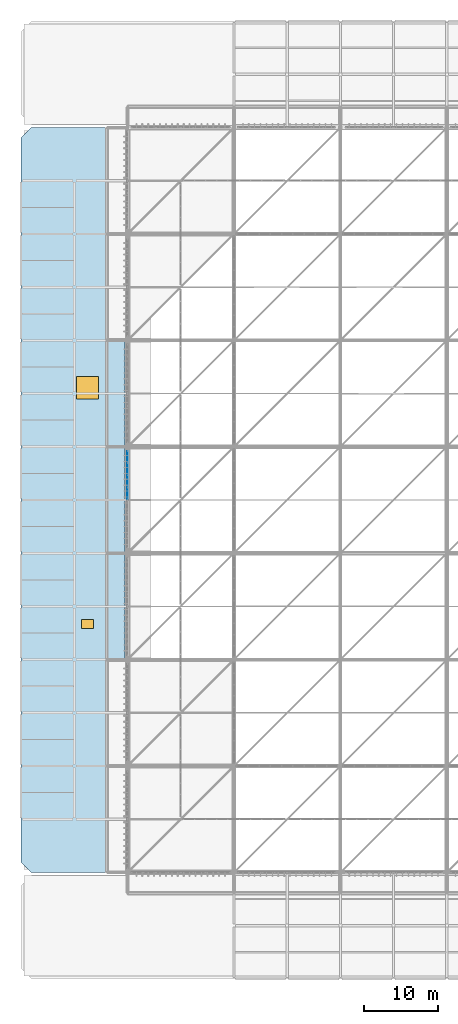
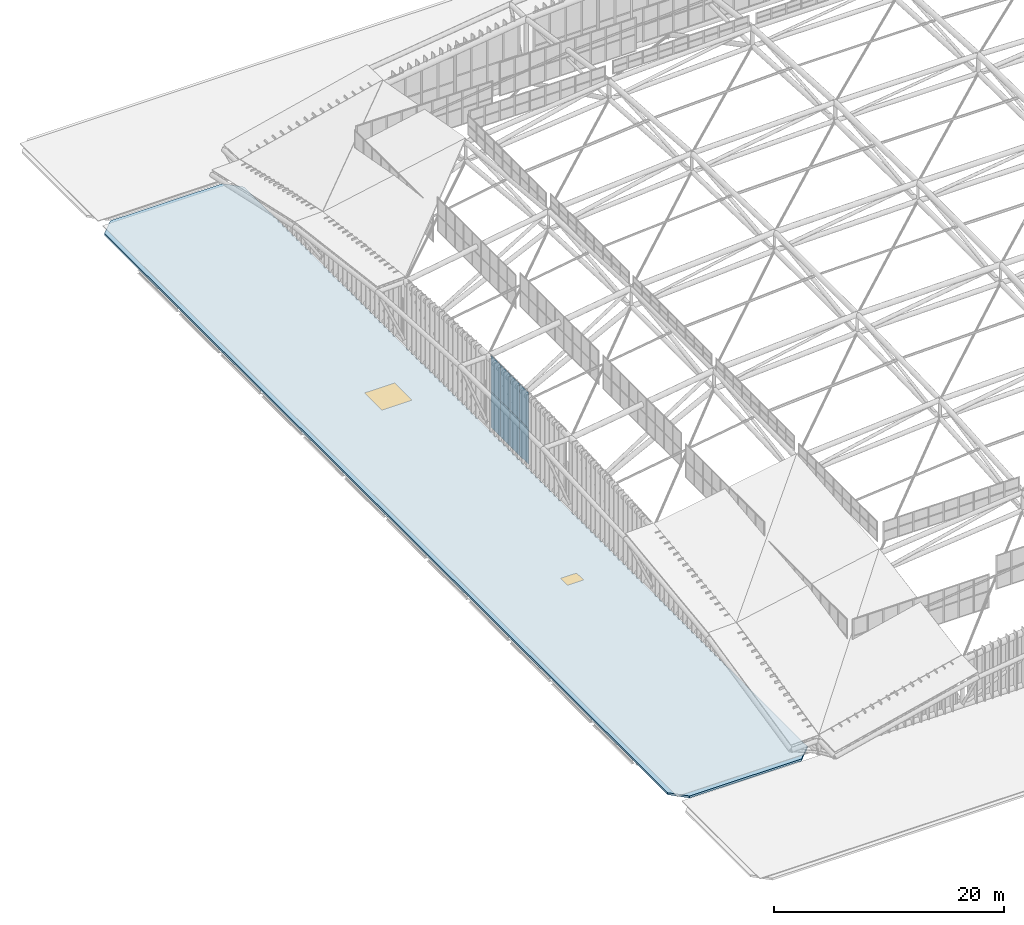
# One storey, part 371 of 397: 8 plates, 2 windows, 1 slab, 2 openings, 1 element without a shape of its own.
"""IFC4 building model written with IfcOpenShell, lengths in metres."""

from ifc_helpers import new_model, si_unit, direction, frame, origin, origin_2d, place, context, subcontext, project, spatial, polyline, rectangle, outline, extrude, material, layer, layer_set, type_object, element, fill, aggregate, save


model = new_model("IFC4")

# Units and contexts
model_context = context("Model", 3, precision=1e-05, world=origin(), true_north=direction((0.0, 1.0)))
body_context = subcontext(model_context, "Body", "Model", "MODEL_VIEW")
ifc_project = project(units=[si_unit("LENGTHUNIT", "METRE"), si_unit("AREAUNIT", "SQUARE_METRE"), si_unit("VOLUMEUNIT", "CUBIC_METRE"), si_unit("PLANEANGLEUNIT", "RADIAN"), si_unit("MASSUNIT", "GRAM", prefix="KILO")], contexts=[model_context])

# Site, building, storey
site_placement = place(None, origin())
site = spatial("IfcSite", under=ifc_project, at=site_placement, CompositionType="ELEMENT")
building_placement = place(site_placement, origin())
building = spatial("IfcBuilding", under=site, at=building_placement, Name="Qandorah Velis Arena", CompositionType="ELEMENT")
storey_placement = place(building_placement, frame((0.0, 0.0, 27.5)))
storey = spatial("IfcBuildingStorey", under=building, at=storey_placement, Name="RF", CompositionType="ELEMENT", Elevation=27.5)

# Curtain wall, plates
ifc_material_1 = material(Name="Solar-control low-E double glazing", Category="glass")
curtain_wall_type = type_object("IfcCurtainWallType", Name="ARC-CW-SYS05", PredefinedType="USERDEFINED", material=ifc_material_1)
curtain_wall_placement = place(storey_placement, origin())
curtain_wall = element("IfcCurtainWall", 1, at=curtain_wall_placement, inside=storey, type_object=curtain_wall_type, Name="Unitised curtain wall CROWN-1-04S2", ObjectType="UNITISED CURTAIN WALL", PredefinedType="USERDEFINED")
ifc_layer_1 = layer(ifc_material_1, 0.035888671875)
ifc_layer_set_1 = layer_set([ifc_layer_1], Name="Solar-control low-E double glazing")
plate_type = type_object("IfcPlateType", Name="ARC-CWP-GLZ36", PredefinedType="CURTAIN_PANEL", material=ifc_layer_set_1)
plate_1_placement = place(storey_placement, frame((14.39990234375, 65.68115234375, 0.0498046875), z_axis=(0.0, 0.0, 1.0), x_axis=(0.0, 1.0, 0.0)))
plate_1 = element("IfcPlate", 2, at=plate_1_placement, type_object=plate_type, Name="CW05 panel 1.1", PredefinedType="CURTAIN_PANEL", context=body_context, shape_type="SweptSolid", body=[
    extrude(rectangle(XDim=1.58251953125, YDim=0.035888671875, at=origin_2d()), origin(), (0.0, 0.0, 1.0), 3.797607421875),
])
plate_2_placement = place(storey_placement, frame((14.39990234375, 65.68115234375, 3.8876953125), z_axis=(0.0, 0.0, 1.0), x_axis=(0.0, 1.0, 0.0)))
plate_2 = element("IfcPlate", 3, at=plate_2_placement, type_object=plate_type, Name="CW05 panel 1.2", PredefinedType="CURTAIN_PANEL", context=body_context, shape_type="SweptSolid", body=[
    extrude(rectangle(XDim=1.58251953125, YDim=0.035888671875, at=origin_2d()), origin(), (0.0, 0.0, 1.0), 3.797607421875),
])
plate_3_placement = place(storey_placement, frame((14.39990234375, 67.31884765625, 0.0498046875), z_axis=(0.0, 0.0, 1.0), x_axis=(0.0, 1.0, 0.0)))
plate_3 = element("IfcPlate", 4, at=plate_3_placement, type_object=plate_type, Name="CW05 panel 2.1", PredefinedType="CURTAIN_PANEL", context=body_context, shape_type="SweptSolid", body=[
    extrude(rectangle(XDim=1.612548828125, YDim=0.035888671875, at=origin_2d()), origin(), (0.0, 0.0, 1.0), 3.797607421875),
])
plate_4_placement = place(storey_placement, frame((14.39990234375, 67.31884765625, 3.8876953125), z_axis=(0.0, 0.0, 1.0), x_axis=(0.0, 1.0, 0.0)))
plate_4 = element("IfcPlate", 5, at=plate_4_placement, type_object=plate_type, Name="CW05 panel 2.2", PredefinedType="CURTAIN_PANEL", context=body_context, shape_type="SweptSolid", body=[
    extrude(rectangle(XDim=1.612548828125, YDim=0.035888671875, at=origin_2d()), origin(), (0.0, 0.0, 1.0), 3.797607421875),
])
plate_5_placement = place(storey_placement, frame((14.39990234375, 68.97119140625, 0.0498046875), z_axis=(0.0, 0.0, 1.0), x_axis=(0.0, 1.0, 0.0)))
plate_5 = element("IfcPlate", 6, at=plate_5_placement, type_object=plate_type, Name="CW05 panel 3.1", PredefinedType="CURTAIN_PANEL", context=body_context, shape_type="SweptSolid", body=[
    extrude(rectangle(XDim=1.612548828125, YDim=0.035888671875, at=origin_2d()), origin(), (0.0, 0.0, 1.0), 3.797607421875),
])
plate_6_placement = place(storey_placement, frame((14.39990234375, 68.97119140625, 3.8876953125), z_axis=(0.0, 0.0, 1.0), x_axis=(0.0, 1.0, 0.0)))
plate_6 = element("IfcPlate", 7, at=plate_6_placement, type_object=plate_type, Name="CW05 panel 3.2", PredefinedType="CURTAIN_PANEL", context=body_context, shape_type="SweptSolid", body=[
    extrude(rectangle(XDim=1.612548828125, YDim=0.035888671875, at=origin_2d()), origin(), (0.0, 0.0, 1.0), 3.797607421875),
])
plate_7_placement = place(storey_placement, frame((14.39990234375, 70.608642578125, 0.0498046875), z_axis=(0.0, 0.0, 1.0), x_axis=(0.0, 1.0, 0.0)))
plate_7 = element("IfcPlate", 8, at=plate_7_placement, type_object=plate_type, Name="CW05 panel 4.1", PredefinedType="CURTAIN_PANEL", context=body_context, shape_type="SweptSolid", body=[
    extrude(rectangle(XDim=1.58251953125, YDim=0.035888671875, at=origin_2d()), origin(), (0.0, 0.0, 1.0), 3.797607421875),
])
plate_8_placement = place(storey_placement, frame((14.39990234375, 70.608642578125, 3.8876953125), z_axis=(0.0, 0.0, 1.0), x_axis=(0.0, 1.0, 0.0)))
plate_8 = element("IfcPlate", 9, at=plate_8_placement, type_object=plate_type, Name="CW05 panel 4.2", PredefinedType="CURTAIN_PANEL", context=body_context, shape_type="SweptSolid", body=[
    extrude(rectangle(XDim=1.58251953125, YDim=0.035888671875, at=origin_2d()), origin(), (0.0, 0.0, 1.0), 3.797607421875),
])
aggregate(curtain_wall, [plate_1, plate_2, plate_3, plate_4, plate_5, plate_6, plate_7, plate_8])

# Slab, openings, windows
ifc_material_2 = material(Name="Concrete C40/50", Category="concrete")
ifc_layer_2 = layer(ifc_material_2, 0.219970703125)
ifc_layer_set_2 = layer_set([ifc_layer_2], Name="Concrete C40/50")
slab_type = type_object("IfcSlabType", Name="STR-SLB-RF220", PredefinedType="ROOF", material=ifc_layer_set_2)
slab_placement = place(storey_placement, frame((0.0, 0.0, -0.219970703125)))
slab = element("IfcSlab", 10, at=slab_placement, inside=storey, type_object=slab_type, Name="Roof slab SLB-ROOF-SKY-W", PredefinedType="ROOF", context=body_context, shape_type="SweptSolid", body=[
    extrude(outline(polyline([(1.39990234375, 14.39990234375), (12.64990234375, 14.39990234375), (14.050048828125, 15.800048828125), (14.050048828125, 113.800048828125), (12.64990234375, 115.199951171875), (1.39990234375, 115.199951171875), (0.0, 113.800048828125), (0.0, 15.800048828125), (1.39990234375, 14.39990234375)])), origin(), (0.0, 0.0, 1.0), 0.219970703125),
])
opening_1_placement = place(slab_placement, frame((9.0, 48.0, -0.010009765625)))
opening_1 = element("IfcOpeningElement", 11, at=opening_1_placement, cuts=slab, Name="Opening SK8", PredefinedType="OPENING", context=body_context, shape_type="SweptSolid", body=[
    extrude(rectangle(XDim=1.60009765625, YDim=1.199951171875, at=origin_2d()), origin(), (0.0, 0.0, 1.0), 0.239990234375),
])
opening_2_placement = place(slab_placement, frame((9.0, 80.0, -0.010009765625)))
opening_2 = element("IfcOpeningElement", 12, at=opening_2_placement, cuts=slab, Name="Opening SK1", PredefinedType="OPENING", context=body_context, shape_type="SweptSolid", body=[
    extrude(rectangle(XDim=3.0, YDim=3.0, at=origin_2d()), origin(), (0.0, 0.0, 1.0), 0.239990234375),
])
window_type_1 = type_object("IfcWindowType", Name="ARC-SKY-1600X1200", PartitioningType="SINGLE_PANEL", PredefinedType="SKYLIGHT", material=ifc_material_1)
window_1_placement = place(opening_1_placement, frame((0.0, 0.0, 0.179931640625)))
window_1 = element("IfcWindow", 13, at=window_1_placement, inside=storey, type_object=window_type_1, Name="Roof skylight hatch SK-08", OverallHeight=1.199951171875, OverallWidth=1.60009765625, PartitioningType="SINGLE_PANEL", PredefinedType="SKYLIGHT", context=body_context, shape_type="SweptSolid", body=[
    extrude(rectangle(XDim=1.60009765625, YDim=1.199951171875, at=origin_2d()), origin(), (0.0, 0.0, 1.0), 0.050048828125),
])
fill(opening_1, window_1)
window_type_2 = type_object("IfcWindowType", Name="ARC-SKY-3000X3000", PartitioningType="SINGLE_PANEL", PredefinedType="SKYLIGHT", material=ifc_material_1)
window_2_placement = place(opening_2_placement, frame((0.0, 0.0, 0.179931640625)))
window_2 = element("IfcWindow", 14, at=window_2_placement, inside=storey, type_object=window_type_2, Name="Roof skylight hatch SK-09", OverallHeight=3.0, OverallWidth=3.0, PartitioningType="SINGLE_PANEL", PredefinedType="SKYLIGHT", context=body_context, shape_type="SweptSolid", body=[
    extrude(rectangle(XDim=3.0, YDim=3.0, at=origin_2d()), origin(), (0.0, 0.0, 1.0), 0.050048828125),
])
fill(opening_2, window_2)

save(model, "model.ifc")
